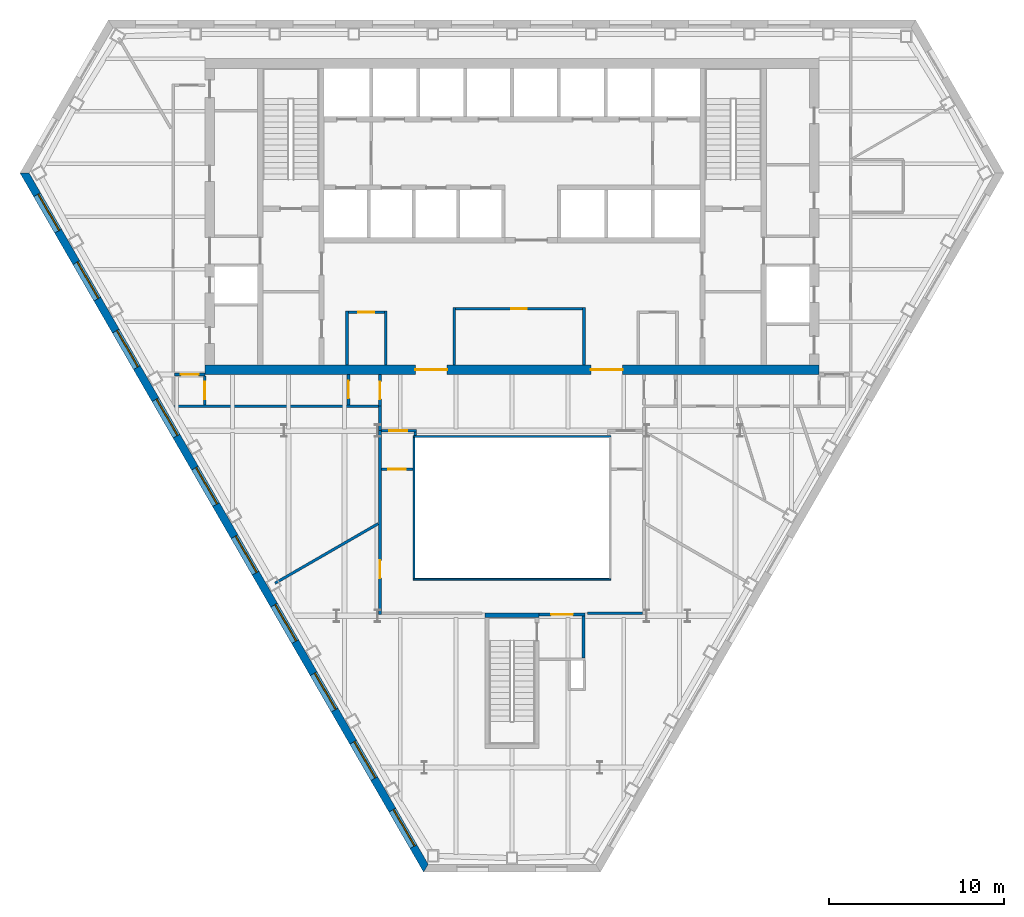
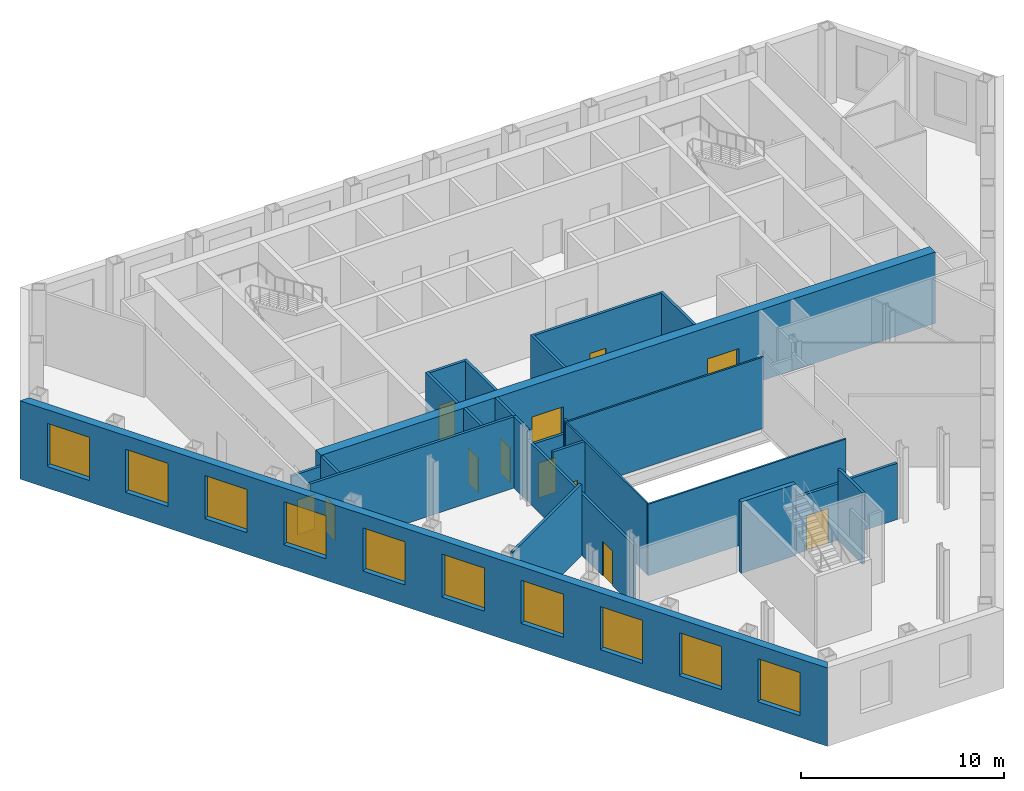
# One storey, part 4 of 11: 26 walls, 12 doors, 10 windows, 22 openings.
"""IFC4 building model written with IfcOpenShell, lengths in metres."""

from ifc_helpers import new_model, si_unit, direction, frame, frame_2d, origin, place, context, subcontext, project, spatial, polyline, rectangle, outline, extrude, material, layer, layer_set, type_object, element, fill, save


model = new_model("IFC4")

# Units and contexts
model_context = context("Model", 3, precision=1e-05, world=origin(), true_north=direction((0.0, 1.0)))
body_context = subcontext(model_context, "Body", "Model", "MODEL_VIEW")
ifc_project = project(units=[si_unit("LENGTHUNIT", "METRE"), si_unit("AREAUNIT", "SQUARE_METRE"), si_unit("VOLUMEUNIT", "CUBIC_METRE"), si_unit("PLANEANGLEUNIT", "RADIAN"), si_unit("MASSUNIT", "GRAM", prefix="KILO")], contexts=[model_context])

# Site, building, storey
site_placement = place(None, origin())
site = spatial("IfcSite", under=ifc_project, at=site_placement, CompositionType="ELEMENT")
building_placement = place(site_placement, origin())
building = spatial("IfcBuilding", under=site, at=building_placement, Name="Njiva Tower", CompositionType="ELEMENT")
storey_placement = place(building_placement, frame((0.0, 0.0, 106.8)))
storey = spatial("IfcBuildingStorey", under=building, at=storey_placement, Name="L22", CompositionType="ELEMENT", Elevation=106.8)

# Walls
ifc_material_1 = material(Name="Blockwork", Category="masonry")
ifc_layer_1 = layer(ifc_material_1, 0.15)
ifc_layer_set_1 = layer_set([ifc_layer_1], Name="Blockwork")
wall_type_1 = type_object("IfcWallType", Name="WT1 Compartment partition 150", PredefinedType="PARTITIONING", material=ifc_layer_set_1)
for number, where, z_axis, x_axis, name in (
    (1, (-3.3, 0.55, 0.0), (0.0, 0.0, 1.0), (0.0, 1.0, 0.0), "Waiting room wall west"),
    (2, (4.1, 0.55, 0.0), (0.0, 0.0, 1.0), (0.0, 1.0, 0.0), "Waiting room wall east"),
):
    element("IfcWall", number, at=place(storey_placement, frame(where, z_axis=z_axis, x_axis=x_axis)), inside=storey, type_object=wall_type_1, Name=name, PredefinedType="PARTITIONING", context=body_context, shape_type="SweptSolid", body=[
        extrude(rectangle(XDim=3.275, YDim=0.15, at=frame_2d((1.6375, 0.0))), origin(), (0.0, 0.0, 1.0), 4.3),
    ])

# Wall, opening, door
wall_1_placement = place(storey_placement, frame((-3.225, 3.75, 0.0), z_axis=(0.0, 0.0, 1.0), x_axis=(1.0, 0.0, 0.0)))
wall_1 = element("IfcWall", 3, at=wall_1_placement, inside=storey, type_object=wall_type_1, Name="Waiting room wall north", PredefinedType="PARTITIONING", context=body_context, shape_type="SweptSolid", body=[
    extrude(rectangle(XDim=7.25, YDim=0.15, at=frame_2d((3.625, 0.0))), origin(), (0.0, 0.0, 1.0), 4.3),
])
opening_1_placement = place(wall_1_placement, frame((3.175, 0.0, 0.0)))
opening_1 = element("IfcOpeningElement", 4, at=opening_1_placement, cuts=wall_1, Name="Opening S07-D933", PredefinedType="OPENING", context=body_context, shape_type="SweptSolid", body=[
    extrude(rectangle(XDim=0.9, YDim=2.1, at=frame_2d((0.45, 1.05))), frame((0.0, 0.085, 0.0), z_axis=(0.0, -1.0, 0.0), x_axis=(1.0, 0.0, 0.0)), (0.0, 0.0, 1.0), 0.17),
])
ifc_material_2 = material(Name="Steel fire door, painted", Category="steel")
door_type_1 = type_object("IfcDoorType", Name="D6 Fire-rated door 900x2100", OperationType="SINGLE_SWING_LEFT", PredefinedType="DOOR", material=ifc_material_2)
door_1_placement = place(opening_1_placement, origin())
door_1 = element("IfcDoor", 5, at=door_1_placement, inside=storey, type_object=door_type_1, Name="Waiting room door", OperationType="SINGLE_SWING_LEFT", OverallHeight=2.1, OverallWidth=0.9, PredefinedType="DOOR", context=body_context, shape_type="SweptSolid", body=[
    extrude(rectangle(XDim=0.9, YDim=2.1, at=frame_2d((0.45, 1.05))), frame((0.0, 0.025, 0.0), z_axis=(0.0, -1.0, 0.0), x_axis=(1.0, 0.0, 0.0)), (0.0, 0.0, 1.0), 0.05),
])
fill(opening_1, door_1)

# Walls
for number, where, z_axis, x_axis, name in (
    (6, (-9.4, 0.55, 0.0), (0.0, 0.0, 1.0), (0.0, 1.0, 0.0), "First aid room wall west"),
    (7, (-7.2, 0.55, 0.0), (0.0, 0.0, 1.0), (0.0, 1.0, 0.0), "First aid room wall east"),
):
    element("IfcWall", number, at=place(storey_placement, frame(where, z_axis=z_axis, x_axis=x_axis)), inside=storey, type_object=wall_type_1, Name=name, PredefinedType="PARTITIONING", context=body_context, shape_type="SweptSolid", body=[
        extrude(rectangle(XDim=3.075, YDim=0.15, at=frame_2d((1.5375, 0.0))), origin(), (0.0, 0.0, 1.0), 4.3),
    ])

# Wall, opening, door
wall_2_placement = place(storey_placement, frame((-9.325, 3.55, 0.0), z_axis=(0.0, 0.0, 1.0), x_axis=(1.0, 0.0, 0.0)))
wall_2 = element("IfcWall", 8, at=wall_2_placement, inside=storey, type_object=wall_type_1, Name="First aid room wall north", PredefinedType="PARTITIONING", context=body_context, shape_type="SweptSolid", body=[
    extrude(rectangle(XDim=2.05, YDim=0.15, at=frame_2d((1.025, 0.0))), origin(), (0.0, 0.0, 1.0), 4.3),
])
opening_2_placement = place(wall_2_placement, frame((0.575, 0.0, 0.0)))
opening_2 = element("IfcOpeningElement", 9, at=opening_2_placement, cuts=wall_2, Name="Opening S07-D934", PredefinedType="OPENING", context=body_context, shape_type="SweptSolid", body=[
    extrude(rectangle(XDim=0.9, YDim=2.1, at=frame_2d((0.45, 1.05))), frame((0.0, 0.085, 0.0), z_axis=(0.0, -1.0, 0.0), x_axis=(1.0, 0.0, 0.0)), (0.0, 0.0, 1.0), 0.17),
])
door_2_placement = place(opening_2_placement, origin())
door_2 = element("IfcDoor", 10, at=door_2_placement, inside=storey, type_object=door_type_1, Name="First aid room door", OperationType="SINGLE_SWING_RIGHT", OverallHeight=2.1, OverallWidth=0.9, PredefinedType="DOOR", context=body_context, shape_type="SweptSolid", body=[
    extrude(rectangle(XDim=0.9, YDim=2.1, at=frame_2d((0.45, 1.05))), frame((0.0, 0.025, 0.0), z_axis=(0.0, -1.0, 0.0), x_axis=(1.0, 0.0, 0.0)), (0.0, 0.0, 1.0), 0.05),
])
fill(opening_2, door_2)

# Wall, openings, doors
ifc_material_3 = material(Name="Concrete C60/75", Category="concrete")
ifc_layer_2 = layer(ifc_material_3, 0.55)
ifc_layer_set_2 = layer_set([ifc_layer_2], Name="Concrete C60/75")
wall_type_2 = type_object("IfcWallType", Name="WT14 Core wall 550", PredefinedType="SHEAR", material=ifc_layer_set_2)
wall_3_placement = place(storey_placement, frame((-17.5, 0.275, 0.0), z_axis=(0.0, 0.0, 1.0), x_axis=(1.0, 0.0, 0.0)))
wall_3 = element("IfcWall", 11, at=wall_3_placement, inside=storey, type_object=wall_type_2, Name="Core wall south", PredefinedType="SHEAR", context=body_context, shape_type="SweptSolid", body=[
    extrude(rectangle(XDim=35.0, YDim=0.55, at=frame_2d((17.5, 0.0))), origin(), (0.0, 0.0, 1.0), 4.3),
])
opening_3_placement = place(wall_3_placement, frame((12.0, 0.0, 0.0)))
opening_3 = element("IfcOpeningElement", 12, at=opening_3_placement, cuts=wall_3, Name="Opening S07-D936", PredefinedType="OPENING", context=body_context, shape_type="SweptSolid", body=[
    extrude(rectangle(XDim=1.8, YDim=2.4, at=frame_2d((0.9, 1.2))), frame((0.0, 0.285, 0.0), z_axis=(0.0, -1.0, 0.0), x_axis=(1.0, 0.0, 0.0)), (0.0, 0.0, 1.0), 0.57),
])
opening_4_placement = place(wall_3_placement, frame((22.0, 0.0, 0.0)))
opening_4 = element("IfcOpeningElement", 13, at=opening_4_placement, cuts=wall_3, Name="Opening S07-D937", PredefinedType="OPENING", context=body_context, shape_type="SweptSolid", body=[
    extrude(rectangle(XDim=1.8, YDim=2.4, at=frame_2d((0.9, 1.2))), frame((0.0, 0.285, 0.0), z_axis=(0.0, -1.0, 0.0), x_axis=(1.0, 0.0, 0.0)), (0.0, 0.0, 1.0), 0.57),
])
ifc_material_4 = material(Name="Steel and glass door", Category="steel")
door_type_2 = type_object("IfcDoorType", Name="D3 Core entrance door 1800x2400", OperationType="DOUBLE_DOOR_SINGLE_SWING", PredefinedType="DOOR", material=ifc_material_4)
door_3_placement = place(opening_3_placement, origin())
door_3 = element("IfcDoor", 14, at=door_3_placement, inside=storey, type_object=door_type_2, Name="Core entrance door", OperationType="DOUBLE_DOOR_SINGLE_SWING", OverallHeight=2.4, OverallWidth=1.8, PredefinedType="DOOR", context=body_context, shape_type="SweptSolid", body=[
    extrude(rectangle(XDim=1.8, YDim=2.4, at=frame_2d((0.9, 1.2))), frame((0.0, 0.025, 0.0), z_axis=(0.0, -1.0, 0.0), x_axis=(1.0, 0.0, 0.0)), (0.0, 0.0, 1.0), 0.05),
])
fill(opening_3, door_3)
door_4_placement = place(opening_4_placement, origin())
door_4 = element("IfcDoor", 15, at=door_4_placement, inside=storey, type_object=door_type_2, Name="Core entrance door", OperationType="DOUBLE_DOOR_SINGLE_SWING", OverallHeight=2.4, OverallWidth=1.8, PredefinedType="DOOR", context=body_context, shape_type="SweptSolid", body=[
    extrude(rectangle(XDim=1.8, YDim=2.4, at=frame_2d((0.9, 1.2))), frame((0.0, 0.025, 0.0), z_axis=(0.0, -1.0, 0.0), x_axis=(1.0, 0.0, 0.0)), (0.0, 0.0, 1.0), 0.05),
])
fill(opening_4, door_4)

# Wall
ifc_material_5 = material(Name="Gypsum board on steel studs", Category="gypsum")
ifc_layer_3 = layer(ifc_material_5, 0.15)
ifc_layer_set_3 = layer_set([ifc_layer_3], Name="Gypsum board on steel studs")
wall_type_3 = type_object("IfcWallType", Name="WT21 Compartment wall 150", PredefinedType="PARTITIONING", material=ifc_layer_set_3)
wall_4_placement = place(storey_placement, frame((-19.225, -1.8, 0.0), z_axis=(0.0, 0.0, 1.0), x_axis=(1.0, 0.0, 0.0)))
element("IfcWall", 16, at=wall_4_placement, inside=storey, type_object=wall_type_3, Name="Partition S07-P003", PredefinedType="PARTITIONING", context=body_context, shape_type="SweptSolid", body=[
    extrude(rectangle(XDim=11.63, YDim=0.15, at=frame_2d((5.815, 0.0))), origin(), (0.0, 0.0, 1.0), 4.3),
])

# Wall, opening, door
wall_5_placement = place(storey_placement, frame((-19.225, 0.0, 0.0), z_axis=(0.0, 0.0, 1.0), x_axis=(1.0, 0.0, 0.0)))
wall_5 = element("IfcWall", 17, at=wall_5_placement, inside=storey, type_object=wall_type_3, Name="Partition S07-P004", PredefinedType="PARTITIONING", context=body_context, shape_type="SweptSolid", body=[
    extrude(rectangle(XDim=1.725, YDim=0.15, at=frame_2d((0.8625, 0.0))), origin(), (0.0, 0.0, 1.0), 3.7),
])
opening_5_placement = place(wall_5_placement, frame((0.363, 0.0, 0.0)))
opening_5 = element("IfcOpeningElement", 18, at=opening_5_placement, cuts=wall_5, Name="Opening S07-D002", PredefinedType="OPENING", context=body_context, shape_type="SweptSolid", body=[
    extrude(rectangle(XDim=1.0, YDim=2.1, at=frame_2d((0.5, 1.05))), frame((0.0, 0.085, 0.0), z_axis=(0.0, -1.0, 0.0), x_axis=(1.0, 0.0, 0.0)), (0.0, 0.0, 1.0), 0.17),
])
ifc_material_6 = material(Name="Steel fire door set", Category="steel")
door_type_3 = type_object("IfcDoorType", Name="D37 Fire door 1000x2100", OperationType="SINGLE_SWING_LEFT", PredefinedType="DOOR", material=ifc_material_6)
door_5_placement = place(opening_5_placement, origin())
door_5 = element("IfcDoor", 19, at=door_5_placement, inside=storey, type_object=door_type_3, Name="Door S07-D002", OperationType="SINGLE_SWING_LEFT", OverallHeight=2.1, OverallWidth=1.0, PredefinedType="DOOR", context=body_context, shape_type="SweptSolid", body=[
    extrude(rectangle(XDim=1.0, YDim=2.1, at=frame_2d((0.5, 1.05))), frame((0.0, 0.025, 0.0), z_axis=(0.0, -1.0, 0.0), x_axis=(1.0, 0.0, 0.0)), (0.0, 0.0, 1.0), 0.05),
])
fill(opening_5, door_5)

wall_6_placement = place(storey_placement, frame((-17.5, -1.725, 0.0), z_axis=(0.0, 0.0, 1.0), x_axis=(0.0, 1.0, 0.0)))
wall_6 = element("IfcWall", 20, at=wall_6_placement, inside=storey, type_object=wall_type_3, Name="Partition S07-P006", PredefinedType="PARTITIONING", context=body_context, shape_type="SweptSolid", body=[
    extrude(rectangle(XDim=1.65, YDim=0.15, at=frame_2d((0.825, 0.0))), origin(), (0.0, 0.0, 1.0), 4.3),
])
opening_6_placement = place(wall_6_placement, frame((0.325, 0.0, 0.0)))
opening_6 = element("IfcOpeningElement", 21, at=opening_6_placement, cuts=wall_6, Name="Opening S07-D004", PredefinedType="OPENING", context=body_context, shape_type="SweptSolid", body=[
    extrude(rectangle(XDim=1.0, YDim=2.1, at=frame_2d((0.5, 1.05))), frame((0.0, 0.085, 0.0), z_axis=(0.0, -1.0, 0.0), x_axis=(1.0, 0.0, 0.0)), (0.0, 0.0, 1.0), 0.17),
])
door_6_placement = place(opening_6_placement, origin())
door_6 = element("IfcDoor", 22, at=door_6_placement, inside=storey, type_object=door_type_3, Name="Door S07-D004", OperationType="SINGLE_SWING_LEFT", OverallHeight=2.1, OverallWidth=1.0, PredefinedType="DOOR", context=body_context, shape_type="SweptSolid", body=[
    extrude(rectangle(XDim=1.0, YDim=2.1, at=frame_2d((0.5, 1.05))), frame((0.0, 0.025, 0.0), z_axis=(0.0, -1.0, 0.0), x_axis=(1.0, 0.0, 0.0)), (0.0, 0.0, 1.0), 0.05),
])
fill(opening_6, door_6)

# Wall
wall_7_placement = place(storey_placement, frame((-13.502, -11.892, 0.0), z_axis=(0.0, 0.0, 1.0), x_axis=(0.866156106014, 0.499773548734, 0.0)))
element("IfcWall", 23, at=wall_7_placement, inside=storey, type_object=wall_type_3, Name="Partition S07-P007", PredefinedType="PARTITIONING", context=body_context, shape_type="SweptSolid", body=[
    extrude(rectangle(XDim=6.7771, YDim=0.15, at=frame_2d((3.3886, 0.0))), origin(), (0.0, 0.0, 1.0), 4.3),
])

# Wall, opening, door
wall_8_placement = place(storey_placement, frame((-9.32, -1.725, 0.0), z_axis=(0.0, 0.0, 1.0), x_axis=(0.0, 1.0, 0.0)))
wall_8 = element("IfcWall", 24, at=wall_8_placement, inside=storey, type_object=wall_type_3, Name="Partition S07-P008", PredefinedType="PARTITIONING", context=body_context, shape_type="SweptSolid", body=[
    extrude(rectangle(XDim=1.725, YDim=0.15, at=frame_2d((0.8625, 0.0))), origin(), (0.0, 0.0, 1.0), 4.3),
])
opening_7_placement = place(wall_8_placement, frame((0.363, 0.0, 0.0)))
opening_7 = element("IfcOpeningElement", 25, at=opening_7_placement, cuts=wall_8, Name="Opening S07-D005", PredefinedType="OPENING", context=body_context, shape_type="SweptSolid", body=[
    extrude(rectangle(XDim=1.0, YDim=2.1, at=frame_2d((0.5, 1.05))), frame((0.0, 0.085, 0.0), z_axis=(0.0, -1.0, 0.0), x_axis=(1.0, 0.0, 0.0)), (0.0, 0.0, 1.0), 0.17),
])
door_7_placement = place(opening_7_placement, origin())
door_7 = element("IfcDoor", 26, at=door_7_placement, inside=storey, type_object=door_type_3, Name="Door S07-D005", OperationType="SINGLE_SWING_LEFT", OverallHeight=2.1, OverallWidth=1.0, PredefinedType="DOOR", context=body_context, shape_type="SweptSolid", body=[
    extrude(rectangle(XDim=1.0, YDim=2.1, at=frame_2d((0.5, 1.05))), frame((0.0, 0.025, 0.0), z_axis=(0.0, -1.0, 0.0), x_axis=(1.0, 0.0, 0.0)), (0.0, 0.0, 1.0), 0.05),
])
fill(opening_7, door_7)

wall_9_placement = place(storey_placement, frame((-7.52, -13.675, 0.0), z_axis=(0.0, 0.0, 1.0), x_axis=(0.0, 1.0, 0.0)))
wall_9 = element("IfcWall", 27, at=wall_9_placement, inside=storey, type_object=wall_type_3, Name="Partition S07-P009", PredefinedType="PARTITIONING", context=body_context, shape_type="SweptSolid", body=[
    extrude(rectangle(XDim=10.475, YDim=0.15, at=frame_2d((5.2375, 0.0))), origin(), (0.0, 0.0, 1.0), 3.7),
])
opening_8_placement = place(wall_9_placement, frame((2.079, 0.0, 0.0)))
opening_8 = element("IfcOpeningElement", 28, at=opening_8_placement, cuts=wall_9, Name="Opening S07-D006", PredefinedType="OPENING", context=body_context, shape_type="SweptSolid", body=[
    extrude(rectangle(XDim=1.0, YDim=2.1, at=frame_2d((0.5, 1.05))), frame((0.0, 0.085, 0.0), z_axis=(0.0, -1.0, 0.0), x_axis=(1.0, 0.0, 0.0)), (0.0, 0.0, 1.0), 0.17),
])
door_8_placement = place(opening_8_placement, origin())
door_8 = element("IfcDoor", 29, at=door_8_placement, inside=storey, type_object=door_type_3, Name="Door S07-D006", OperationType="SINGLE_SWING_RIGHT", OverallHeight=2.1, OverallWidth=1.0, PredefinedType="DOOR", context=body_context, shape_type="SweptSolid", body=[
    extrude(rectangle(XDim=1.0, YDim=2.1, at=frame_2d((0.5, 1.05))), frame((0.0, 0.025, 0.0), z_axis=(0.0, -1.0, 0.0), x_axis=(1.0, 0.0, 0.0)), (0.0, 0.0, 1.0), 0.05),
])
fill(opening_8, door_8)

# Wall
wall_10_placement = place(storey_placement, frame((-7.52, -3.2, 0.0), z_axis=(0.0, 0.0, 1.0), x_axis=(0.0, 1.0, 0.0)))
element("IfcWall", 30, at=wall_10_placement, inside=storey, type_object=wall_type_3, Name="Partition S07-P009A", PredefinedType="PARTITIONING", context=body_context, shape_type="SweptSolid", body=[
    extrude(rectangle(XDim=1.396, YDim=0.15, at=frame_2d((0.698, 0.0))), origin(), (0.0, 0.0, 1.0), 4.3),
])

# Wall, opening, door
wall_11_placement = place(storey_placement, frame((-7.52, -1.8, 0.0), z_axis=(0.0, 0.0, 1.0), x_axis=(0.0, 1.0, 0.0)))
wall_11 = element("IfcWall", 31, at=wall_11_placement, inside=storey, type_object=wall_type_3, Name="Partition S07-P010", PredefinedType="PARTITIONING", context=body_context, shape_type="SweptSolid", body=[
    extrude(rectangle(XDim=1.8, YDim=0.15, at=frame_2d((0.9, 0.0))), origin(), (0.0, 0.0, 1.0), 4.3),
])
opening_9_placement = place(wall_11_placement, frame((0.4, 0.0, 0.0)))
opening_9 = element("IfcOpeningElement", 32, at=opening_9_placement, cuts=wall_11, Name="Opening S07-D007", PredefinedType="OPENING", context=body_context, shape_type="SweptSolid", body=[
    extrude(rectangle(XDim=1.0, YDim=2.1, at=frame_2d((0.5, 1.05))), frame((0.0, 0.085, 0.0), z_axis=(0.0, -1.0, 0.0), x_axis=(1.0, 0.0, 0.0)), (0.0, 0.0, 1.0), 0.17),
])
door_9_placement = place(opening_9_placement, origin())
door_9 = element("IfcDoor", 33, at=door_9_placement, inside=storey, type_object=door_type_3, Name="Door S07-D007", OperationType="SINGLE_SWING_LEFT", OverallHeight=2.1, OverallWidth=1.0, PredefinedType="DOOR", context=body_context, shape_type="SweptSolid", body=[
    extrude(rectangle(XDim=1.0, YDim=2.1, at=frame_2d((0.5, 1.05))), frame((0.0, 0.025, 0.0), z_axis=(0.0, -1.0, 0.0), x_axis=(1.0, 0.0, 0.0)), (0.0, 0.0, 1.0), 0.05),
])
fill(opening_9, door_9)

wall_12_placement = place(storey_placement, frame((-7.445, -5.4, 0.0), z_axis=(0.0, 0.0, 1.0), x_axis=(1.0, 0.0, 0.0)))
wall_12 = element("IfcWall", 34, at=wall_12_placement, inside=storey, type_object=wall_type_3, Name="Partition S07-P012", PredefinedType="PARTITIONING", context=body_context, shape_type="SweptSolid", body=[
    extrude(rectangle(XDim=1.805, YDim=0.15, at=frame_2d((0.9025, 0.0))), origin(), (0.0, 0.0, 1.0), 4.3),
])
opening_10_placement = place(wall_12_placement, frame((0.402, 0.0, 0.0)))
opening_10 = element("IfcOpeningElement", 35, at=opening_10_placement, cuts=wall_12, Name="Opening S07-D008", PredefinedType="OPENING", context=body_context, shape_type="SweptSolid", body=[
    extrude(rectangle(XDim=1.0, YDim=2.1, at=frame_2d((0.5, 1.05))), frame((0.0, 0.085, 0.0), z_axis=(0.0, -1.0, 0.0), x_axis=(1.0, 0.0, 0.0)), (0.0, 0.0, 1.0), 0.17),
])
door_10_placement = place(opening_10_placement, origin())
door_10 = element("IfcDoor", 36, at=door_10_placement, inside=storey, type_object=door_type_3, Name="Door S07-D008", OperationType="SINGLE_SWING_RIGHT", OverallHeight=2.1, OverallWidth=1.0, PredefinedType="DOOR", context=body_context, shape_type="SweptSolid", body=[
    extrude(rectangle(XDim=1.0, YDim=2.1, at=frame_2d((0.5, 1.05))), frame((0.0, 0.025, 0.0), z_axis=(0.0, -1.0, 0.0), x_axis=(1.0, 0.0, 0.0)), (0.0, 0.0, 1.0), 0.05),
])
fill(opening_10, door_10)

wall_13_placement = place(storey_placement, frame((-7.445, -3.2, 0.0), z_axis=(0.0, 0.0, 1.0), x_axis=(1.0, 0.0, 0.0)))
wall_13 = element("IfcWall", 37, at=wall_13_placement, inside=storey, type_object=wall_type_3, Name="Partition S07-P013", PredefinedType="PARTITIONING", context=body_context, shape_type="SweptSolid", body=[
    extrude(rectangle(XDim=2.0, YDim=0.15, at=frame_2d((1.0, 0.0))), origin(), (0.0, 0.0, 1.0), 3.39),
])
opening_11_placement = place(wall_13_placement, frame((0.462, 0.0, 0.0)))
opening_11 = element("IfcOpeningElement", 38, at=opening_11_placement, cuts=wall_13, Name="Opening S07-D009", PredefinedType="OPENING", context=body_context, shape_type="SweptSolid", body=[
    extrude(rectangle(XDim=1.0, YDim=2.1, at=frame_2d((0.5, 1.05))), frame((0.0, 0.085, 0.0), z_axis=(0.0, -1.0, 0.0), x_axis=(1.0, 0.0, 0.0)), (0.0, 0.0, 1.0), 0.17),
])
door_11_placement = place(opening_11_placement, origin())
door_11 = element("IfcDoor", 39, at=door_11_placement, inside=storey, type_object=door_type_3, Name="Door S07-D009", OperationType="SINGLE_SWING_RIGHT", OverallHeight=2.1, OverallWidth=1.0, PredefinedType="DOOR", context=body_context, shape_type="SweptSolid", body=[
    extrude(rectangle(XDim=1.0, YDim=2.1, at=frame_2d((0.5, 1.05))), frame((0.0, 0.025, 0.0), z_axis=(0.0, -1.0, 0.0), x_axis=(1.0, 0.0, 0.0)), (0.0, 0.0, 1.0), 0.05),
])
fill(opening_11, door_11)

# Walls
wall_14_placement = place(storey_placement, frame((-5.52, -3.48, 0.0), z_axis=(0.0, 0.0, 1.0), x_axis=(0.0, 1.0, 0.0)))
element("IfcWall", 40, at=wall_14_placement, inside=storey, type_object=wall_type_3, Name="Partition S07-P014", PredefinedType="PARTITIONING", context=body_context, shape_type="SweptSolid", body=[
    extrude(rectangle(XDim=0.205, YDim=0.15, at=frame_2d((0.1025, 0.0))), origin(), (0.0, 0.0, 1.0), 4.3),
])
wall_15_placement = place(storey_placement, frame((4.3, -13.6, 0.0), z_axis=(0.0, 0.0, 1.0), x_axis=(1.0, 0.0, 0.0)))
element("IfcWall", 41, at=wall_15_placement, inside=storey, type_object=wall_type_3, Name="Partition S07-P015", PredefinedType="PARTITIONING", context=body_context, shape_type="SweptSolid", body=[
    extrude(rectangle(XDim=3.145, YDim=0.15, at=frame_2d((1.5725, 0.0))), origin(), (0.0, 0.0, 1.0), 3.39),
])
ifc_layer_4 = layer(ifc_material_1, 0.15)
ifc_layer_set_4 = layer_set([ifc_layer_4], Name="Blockwork")
wall_type_4 = type_object("IfcWallType", Name="WT4 Stair partition 150", PredefinedType="PARTITIONING", material=ifc_layer_set_4)
wall_16_placement = place(storey_placement, frame((4.075, -16.15, 0.0), z_axis=(0.0, 0.0, 1.0), x_axis=(0.0, 1.0, 0.0)))
element("IfcWall", 42, at=wall_16_placement, inside=storey, type_object=wall_type_4, Name="Stair C vestibule wall east", PredefinedType="PARTITIONING", context=body_context, shape_type="SweptSolid", body=[
    extrude(rectangle(XDim=2.4, YDim=0.15, at=frame_2d((1.2, 0.0))), origin(), (0.0, 0.0, 1.0), 4.3),
])

# Wall, opening, door
wall_17_placement = place(storey_placement, frame((1.55, -13.675, 0.0), z_axis=(0.0, 0.0, 1.0), x_axis=(1.0, 0.0, 0.0)))
wall_17 = element("IfcWall", 43, at=wall_17_placement, inside=storey, type_object=wall_type_4, Name="Stair C vestibule wall north", PredefinedType="PARTITIONING", context=body_context, shape_type="SweptSolid", body=[
    extrude(rectangle(XDim=2.6, YDim=0.15, at=frame_2d((1.3, 0.0))), origin(), (0.0, 0.0, 1.0), 3.39),
])
opening_12_placement = place(wall_17_placement, frame((0.675, 0.0, 0.0)))
opening_12 = element("IfcOpeningElement", 44, at=opening_12_placement, cuts=wall_17, Name="Opening S07-D939", PredefinedType="OPENING", context=body_context, shape_type="SweptSolid", body=[
    extrude(rectangle(XDim=1.25, YDim=2.1, at=frame_2d((0.625, 1.05))), frame((0.0, 0.085, 0.0), z_axis=(0.0, -1.0, 0.0), x_axis=(1.0, 0.0, 0.0)), (0.0, 0.0, 1.0), 0.17),
])
ifc_material_7 = material(Name="Glazed steel fire door", Category="steel")
door_type_4 = type_object("IfcDoorType", Name="D8 Vestibule corridor door 1250x2100 glazed", OperationType="SINGLE_SWING_LEFT", PredefinedType="DOOR", material=ifc_material_7)
door_12_placement = place(opening_12_placement, origin())
door_12 = element("IfcDoor", 45, at=door_12_placement, inside=storey, type_object=door_type_4, Name="Stair vestibule corridor door", OperationType="SINGLE_SWING_RIGHT", OverallHeight=2.1, OverallWidth=1.25, PredefinedType="DOOR", context=body_context, shape_type="SweptSolid", body=[
    extrude(rectangle(XDim=1.25, YDim=2.1, at=frame_2d((0.625, 1.05))), frame((0.0, 0.025, 0.0), z_axis=(0.0, -1.0, 0.0), x_axis=(1.0, 0.0, 0.0)), (0.0, 0.0, 1.0), 0.05),
])
fill(opening_12, door_12)

# Wall
ifc_material_8 = material(Name="Concrete C40/50", Category="concrete")
ifc_layer_5 = layer(ifc_material_8, 0.25)
ifc_layer_set_5 = layer_set([ifc_layer_5], Name="Concrete C40/50")
wall_type_5 = type_object("IfcWallType", Name="WT9 Stair enclosure wall 250", PredefinedType="SHEAR", material=ifc_layer_set_5)
wall_18_placement = place(storey_placement, frame((-1.55, -13.725, 0.0), z_axis=(0.0, 0.0, 1.0), x_axis=(1.0, 0.0, 0.0)))
element("IfcWall", 46, at=wall_18_placement, inside=storey, type_object=wall_type_5, Name="Stair C wall north", PredefinedType="SHEAR", context=body_context, shape_type="SweptSolid", body=[
    extrude(rectangle(XDim=3.1, YDim=0.25, at=frame_2d((1.55, 0.0))), origin(), (0.0, 0.0, 1.0), 4.3),
])

# Wall, openings, windows
ifc_material_9 = material(Name="Brick masonry", Category="masonry")
ifc_layer_6 = layer(ifc_material_9, 0.45)
ifc_layer_set_6 = layer_set([ifc_layer_6], Name="Brick masonry")
wall_type_6 = type_object("IfcWallType", Name="WT90 Brick pier and spandrel wall 450", PredefinedType="SOLIDWALL", material=ifc_layer_set_6)
wall_19_placement = place(storey_placement, frame((-27.7752, 11.4791, -0.4), z_axis=(0.0, 0.0, 1.0), x_axis=(0.500000711659, -0.866024992908, 0.0)))
wall_19 = element("IfcWall", 47, at=wall_19_placement, inside=storey, type_object=wall_type_6, Name="Facade wall SW", PredefinedType="SOLIDWALL", context=body_context, shape_type="SweptSolid", body=[
    extrude(outline(polyline([(-0.1299, -0.225), (45.87, -0.225), (45.6102, 0.225), (0.1299, 0.225), (-0.1299, -0.225)])), origin(), (0.0, 0.0, 1.0), 4.72),
])
opening_13_placement = place(wall_19_placement, frame((1.4242, 0.0, 1.3)))
opening_13 = element("IfcOpeningElement", 48, at=opening_13_placement, cuts=wall_19, Name="Opening S07-W12", PredefinedType="OPENING", context=body_context, shape_type="SweptSolid", body=[
    extrude(rectangle(XDim=2.4, YDim=2.6, at=frame_2d((1.2, 1.3))), frame((0.0, 0.235, 0.0), z_axis=(0.0, -1.0, 0.0), x_axis=(1.0, 0.0, 0.0)), (0.0, 0.0, 1.0), 0.47),
])
opening_14_placement = place(wall_19_placement, frame((5.8934, 0.0, 1.3)))
opening_14 = element("IfcOpeningElement", 49, at=opening_14_placement, cuts=wall_19, Name="Opening S07-W13", PredefinedType="OPENING", context=body_context, shape_type="SweptSolid", body=[
    extrude(rectangle(XDim=2.4, YDim=2.6, at=frame_2d((1.2, 1.3))), frame((0.0, 0.235, 0.0), z_axis=(0.0, -1.0, 0.0), x_axis=(1.0, 0.0, 0.0)), (0.0, 0.0, 1.0), 0.47),
])
opening_15_placement = place(wall_19_placement, frame((10.401, 0.0, 1.3)))
opening_15 = element("IfcOpeningElement", 50, at=opening_15_placement, cuts=wall_19, Name="Opening S07-W14", PredefinedType="OPENING", context=body_context, shape_type="SweptSolid", body=[
    extrude(rectangle(XDim=2.4, YDim=2.6, at=frame_2d((1.2, 1.3))), frame((0.0, 0.235, 0.0), z_axis=(0.0, -1.0, 0.0), x_axis=(1.0, 0.0, 0.0)), (0.0, 0.0, 1.0), 0.47),
])
opening_16_placement = place(wall_19_placement, frame((14.9087, 0.0, 1.3)))
opening_16 = element("IfcOpeningElement", 51, at=opening_16_placement, cuts=wall_19, Name="Opening S07-W15", PredefinedType="OPENING", context=body_context, shape_type="SweptSolid", body=[
    extrude(rectangle(XDim=2.4, YDim=2.6, at=frame_2d((1.2, 1.3))), frame((0.0, 0.235, 0.0), z_axis=(0.0, -1.0, 0.0), x_axis=(1.0, 0.0, 0.0)), (0.0, 0.0, 1.0), 0.47),
])
opening_17_placement = place(wall_19_placement, frame((19.4163, 0.0, 1.3)))
opening_17 = element("IfcOpeningElement", 52, at=opening_17_placement, cuts=wall_19, Name="Opening S07-W16", PredefinedType="OPENING", context=body_context, shape_type="SweptSolid", body=[
    extrude(rectangle(XDim=2.4, YDim=2.6, at=frame_2d((1.2, 1.3))), frame((0.0, 0.235, 0.0), z_axis=(0.0, -1.0, 0.0), x_axis=(1.0, 0.0, 0.0)), (0.0, 0.0, 1.0), 0.47),
])
opening_18_placement = place(wall_19_placement, frame((23.9239, 0.0, 1.3)))
opening_18 = element("IfcOpeningElement", 53, at=opening_18_placement, cuts=wall_19, Name="Opening S07-W17", PredefinedType="OPENING", context=body_context, shape_type="SweptSolid", body=[
    extrude(rectangle(XDim=2.4, YDim=2.6, at=frame_2d((1.2, 1.3))), frame((0.0, 0.235, 0.0), z_axis=(0.0, -1.0, 0.0), x_axis=(1.0, 0.0, 0.0)), (0.0, 0.0, 1.0), 0.47),
])
opening_19_placement = place(wall_19_placement, frame((28.4315, 0.0, 1.3)))
opening_19 = element("IfcOpeningElement", 54, at=opening_19_placement, cuts=wall_19, Name="Opening S07-W18", PredefinedType="OPENING", context=body_context, shape_type="SweptSolid", body=[
    extrude(rectangle(XDim=2.4, YDim=2.6, at=frame_2d((1.2, 1.3))), frame((0.0, 0.235, 0.0), z_axis=(0.0, -1.0, 0.0), x_axis=(1.0, 0.0, 0.0)), (0.0, 0.0, 1.0), 0.47),
])
opening_20_placement = place(wall_19_placement, frame((32.9391, 0.0, 1.3)))
opening_20 = element("IfcOpeningElement", 55, at=opening_20_placement, cuts=wall_19, Name="Opening S07-W19", PredefinedType="OPENING", context=body_context, shape_type="SweptSolid", body=[
    extrude(rectangle(XDim=2.4, YDim=2.6, at=frame_2d((1.2, 1.3))), frame((0.0, 0.235, 0.0), z_axis=(0.0, -1.0, 0.0), x_axis=(1.0, 0.0, 0.0)), (0.0, 0.0, 1.0), 0.47),
])
opening_21_placement = place(wall_19_placement, frame((37.4468, 0.0, 1.3)))
opening_21 = element("IfcOpeningElement", 56, at=opening_21_placement, cuts=wall_19, Name="Opening S07-W20", PredefinedType="OPENING", context=body_context, shape_type="SweptSolid", body=[
    extrude(rectangle(XDim=2.4, YDim=2.6, at=frame_2d((1.2, 1.3))), frame((0.0, 0.235, 0.0), z_axis=(0.0, -1.0, 0.0), x_axis=(1.0, 0.0, 0.0)), (0.0, 0.0, 1.0), 0.47),
])
opening_22_placement = place(wall_19_placement, frame((41.916, 0.0, 1.3)))
opening_22 = element("IfcOpeningElement", 57, at=opening_22_placement, cuts=wall_19, Name="Opening S07-W21", PredefinedType="OPENING", context=body_context, shape_type="SweptSolid", body=[
    extrude(rectangle(XDim=2.4, YDim=2.6, at=frame_2d((1.2, 1.3))), frame((0.0, 0.235, 0.0), z_axis=(0.0, -1.0, 0.0), x_axis=(1.0, 0.0, 0.0)), (0.0, 0.0, 1.0), 0.47),
])
ifc_material_10 = material(Name="Clear glazing in aluminium frame", Category="aluminium")
window_type = type_object("IfcWindowType", Name="W92 Deep-set window 2400x2600", PartitioningType="SINGLE_PANEL", PredefinedType="WINDOW", material=ifc_material_10)
window_1_placement = place(opening_13_placement, origin())
window_1 = element("IfcWindow", 58, at=window_1_placement, inside=storey, type_object=window_type, Name="Window", OverallHeight=2.6, OverallWidth=2.4, PartitioningType="SINGLE_PANEL", PredefinedType="WINDOW", context=body_context, shape_type="SweptSolid", body=[
    extrude(rectangle(XDim=2.4, YDim=2.6, at=frame_2d((1.2, 1.3))), frame((0.0, 0.105, 0.0), z_axis=(0.0, -1.0, 0.0), x_axis=(1.0, 0.0, 0.0)), (0.0, 0.0, 1.0), 0.06),
])
fill(opening_13, window_1)
window_2_placement = place(opening_14_placement, origin())
window_2 = element("IfcWindow", 59, at=window_2_placement, inside=storey, type_object=window_type, Name="Window", OverallHeight=2.6, OverallWidth=2.4, PartitioningType="SINGLE_PANEL", PredefinedType="WINDOW", context=body_context, shape_type="SweptSolid", body=[
    extrude(rectangle(XDim=2.4, YDim=2.6, at=frame_2d((1.2, 1.3))), frame((0.0, 0.105, 0.0), z_axis=(0.0, -1.0, 0.0), x_axis=(1.0, 0.0, 0.0)), (0.0, 0.0, 1.0), 0.06),
])
fill(opening_14, window_2)
window_3_placement = place(opening_15_placement, origin())
window_3 = element("IfcWindow", 60, at=window_3_placement, inside=storey, type_object=window_type, Name="Window", OverallHeight=2.6, OverallWidth=2.4, PartitioningType="SINGLE_PANEL", PredefinedType="WINDOW", context=body_context, shape_type="SweptSolid", body=[
    extrude(rectangle(XDim=2.4, YDim=2.6, at=frame_2d((1.2, 1.3))), frame((0.0, 0.105, 0.0), z_axis=(0.0, -1.0, 0.0), x_axis=(1.0, 0.0, 0.0)), (0.0, 0.0, 1.0), 0.06),
])
fill(opening_15, window_3)
window_4_placement = place(opening_16_placement, origin())
window_4 = element("IfcWindow", 61, at=window_4_placement, inside=storey, type_object=window_type, Name="Window", OverallHeight=2.6, OverallWidth=2.4, PartitioningType="SINGLE_PANEL", PredefinedType="WINDOW", context=body_context, shape_type="SweptSolid", body=[
    extrude(rectangle(XDim=2.4, YDim=2.6, at=frame_2d((1.2, 1.3))), frame((0.0, 0.105, 0.0), z_axis=(0.0, -1.0, 0.0), x_axis=(1.0, 0.0, 0.0)), (0.0, 0.0, 1.0), 0.06),
])
fill(opening_16, window_4)
window_5_placement = place(opening_17_placement, origin())
window_5 = element("IfcWindow", 62, at=window_5_placement, inside=storey, type_object=window_type, Name="Window", OverallHeight=2.6, OverallWidth=2.4, PartitioningType="SINGLE_PANEL", PredefinedType="WINDOW", context=body_context, shape_type="SweptSolid", body=[
    extrude(rectangle(XDim=2.4, YDim=2.6, at=frame_2d((1.2, 1.3))), frame((0.0, 0.105, 0.0), z_axis=(0.0, -1.0, 0.0), x_axis=(1.0, 0.0, 0.0)), (0.0, 0.0, 1.0), 0.06),
])
fill(opening_17, window_5)
window_6_placement = place(opening_18_placement, origin())
window_6 = element("IfcWindow", 63, at=window_6_placement, inside=storey, type_object=window_type, Name="Window", OverallHeight=2.6, OverallWidth=2.4, PartitioningType="SINGLE_PANEL", PredefinedType="WINDOW", context=body_context, shape_type="SweptSolid", body=[
    extrude(rectangle(XDim=2.4, YDim=2.6, at=frame_2d((1.2, 1.3))), frame((0.0, 0.105, 0.0), z_axis=(0.0, -1.0, 0.0), x_axis=(1.0, 0.0, 0.0)), (0.0, 0.0, 1.0), 0.06),
])
fill(opening_18, window_6)
window_7_placement = place(opening_19_placement, origin())
window_7 = element("IfcWindow", 64, at=window_7_placement, inside=storey, type_object=window_type, Name="Window", OverallHeight=2.6, OverallWidth=2.4, PartitioningType="SINGLE_PANEL", PredefinedType="WINDOW", context=body_context, shape_type="SweptSolid", body=[
    extrude(rectangle(XDim=2.4, YDim=2.6, at=frame_2d((1.2, 1.3))), frame((0.0, 0.105, 0.0), z_axis=(0.0, -1.0, 0.0), x_axis=(1.0, 0.0, 0.0)), (0.0, 0.0, 1.0), 0.06),
])
fill(opening_19, window_7)
window_8_placement = place(opening_20_placement, origin())
window_8 = element("IfcWindow", 65, at=window_8_placement, inside=storey, type_object=window_type, Name="Window", OverallHeight=2.6, OverallWidth=2.4, PartitioningType="SINGLE_PANEL", PredefinedType="WINDOW", context=body_context, shape_type="SweptSolid", body=[
    extrude(rectangle(XDim=2.4, YDim=2.6, at=frame_2d((1.2, 1.3))), frame((0.0, 0.105, 0.0), z_axis=(0.0, -1.0, 0.0), x_axis=(1.0, 0.0, 0.0)), (0.0, 0.0, 1.0), 0.06),
])
fill(opening_20, window_8)
window_9_placement = place(opening_21_placement, origin())
window_9 = element("IfcWindow", 66, at=window_9_placement, inside=storey, type_object=window_type, Name="Window", OverallHeight=2.6, OverallWidth=2.4, PartitioningType="SINGLE_PANEL", PredefinedType="WINDOW", context=body_context, shape_type="SweptSolid", body=[
    extrude(rectangle(XDim=2.4, YDim=2.6, at=frame_2d((1.2, 1.3))), frame((0.0, 0.105, 0.0), z_axis=(0.0, -1.0, 0.0), x_axis=(1.0, 0.0, 0.0)), (0.0, 0.0, 1.0), 0.06),
])
fill(opening_21, window_9)
window_10_placement = place(opening_22_placement, origin())
window_10 = element("IfcWindow", 67, at=window_10_placement, inside=storey, type_object=window_type, Name="Window", OverallHeight=2.6, OverallWidth=2.4, PartitioningType="SINGLE_PANEL", PredefinedType="WINDOW", context=body_context, shape_type="SweptSolid", body=[
    extrude(rectangle(XDim=2.4, YDim=2.6, at=frame_2d((1.2, 1.3))), frame((0.0, 0.105, 0.0), z_axis=(0.0, -1.0, 0.0), x_axis=(1.0, 0.0, 0.0)), (0.0, 0.0, 1.0), 0.06),
])
fill(opening_22, window_10)

# Walls
ifc_material_11 = material(Name="Fire-resisting glazing EI 90", Category="glass")
ifc_layer_7 = layer(ifc_material_11, 0.1)
ifc_layer_set_7 = layer_set([ifc_layer_7], Name="Fire-resisting glazing EI 90")
wall_type_7 = type_object("IfcWallType", Name="WT95 Fire-resisting glazed screen EI 90", PredefinedType="PARTITIONING", material=ifc_layer_set_7)
for number, where, z_axis, x_axis, name in (
    (68, (-5.64, -11.67, 0.0), (0.0, 0.0, 1.0), (1.0, 0.0, 0.0), "Atrium fire screen south"),
    (69, (5.64, -3.53, 0.0), (0.0, 0.0, 1.0), (-1.0, 0.0, 0.0), "Atrium fire screen north"),
):
    element("IfcWall", number, at=place(storey_placement, frame(where, z_axis=z_axis, x_axis=x_axis)), inside=storey, type_object=wall_type_7, Name=name, PredefinedType="PARTITIONING", context=body_context, shape_type="SweptSolid", body=[
        extrude(rectangle(XDim=11.28, YDim=0.1, at=frame_2d((5.64, 0.0))), origin(), (0.0, 0.0, 1.0), 4.3),
    ])
wall_20_placement = place(storey_placement, frame((-5.59, -3.58, 0.0), z_axis=(0.0, 0.0, 1.0), x_axis=(0.0, -1.0, 0.0)))
element("IfcWall", 70, at=wall_20_placement, inside=storey, type_object=wall_type_7, Name="Atrium fire screen west", PredefinedType="PARTITIONING", context=body_context, shape_type="SweptSolid", body=[
    extrude(rectangle(XDim=8.04, YDim=0.1, at=frame_2d((4.02, 0.0))), origin(), (0.0, 0.0, 1.0), 4.3),
])

save(model, "model.ifc")
